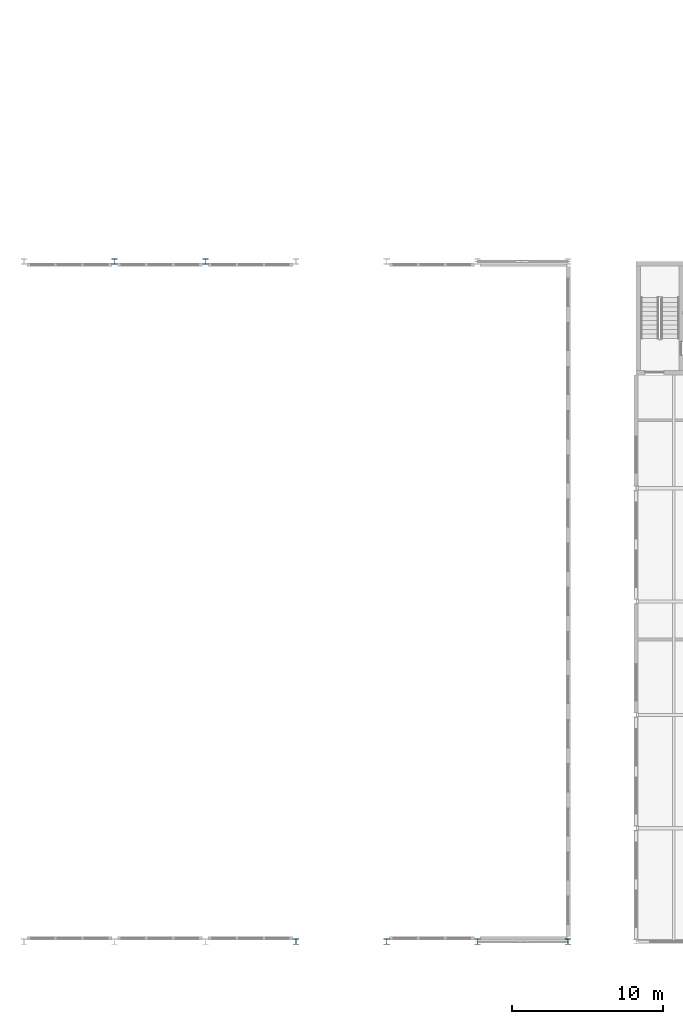
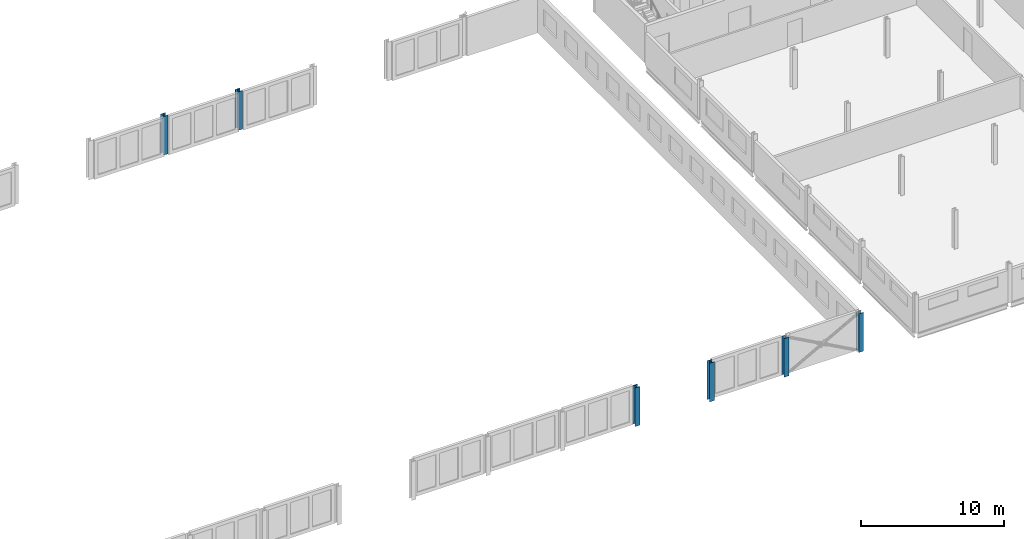
# One storey, part 4 of 199: 6 columns.
"""IFC4 building model written with IfcOpenShell, lengths in metres."""

from ifc_helpers import new_model, si_unit, direction, frame, origin, origin_2d, place, context, subcontext, project, spatial, i_section, extrude, material, material_profile, profile_set, type_object, element, save


model = new_model("IFC4")

# Units and contexts
model_context = context("Model", 3, precision=1e-05, world=origin(), true_north=direction((0.0, 1.0)))
body_context = subcontext(model_context, "Body", "Model", "MODEL_VIEW")
ifc_project = project(units=[si_unit("LENGTHUNIT", "METRE"), si_unit("AREAUNIT", "SQUARE_METRE"), si_unit("VOLUMEUNIT", "CUBIC_METRE"), si_unit("PLANEANGLEUNIT", "RADIAN"), si_unit("MASSUNIT", "GRAM", prefix="KILO")], contexts=[model_context])

# Site, building, storey
site_placement = place(None, origin())
site = spatial("IfcSite", under=ifc_project, at=site_placement, CompositionType="ELEMENT")
building_placement = place(site_placement, origin())
building = spatial("IfcBuilding", under=site, at=building_placement, Name="Parallax Yard Mobility Hub", CompositionType="ELEMENT")
storey_placement = place(building_placement, frame((0.0, 0.0, 9.89990234375)))
storey = spatial("IfcBuildingStorey", under=building, at=storey_placement, Name="L03", CompositionType="ELEMENT", Elevation=9.89990234375)

# Columns
ifc_material = material(Name="Steel ASTM A992", Category="steel")
ifc_material_profile = material_profile(ifc_material, i_section(OverallWidth=0.373046875, OverallDepth=0.367919921875, WebThickness=0.014892578125, FlangeThickness=0.02392578125, FilletRadius=0.01513671875, at=origin_2d()), Name="W360x179")
ifc_profile_set = profile_set([ifc_material_profile], Name="Steel ASTM A992")
column_type = type_object("IfcColumnType", Name="W360x179 column", PredefinedType="COLUMN", material=ifc_profile_set)
for number, where, z_axis, x_axis, name in (
    (1, (63.0, 52.5, 0.0), (0.0, 0.0, 1.0), (1.0, 0.0, 0.0), "Ridge column F10 north level L03"),
    (2, (69.0, 52.5, 0.0), (0.0, 0.0, 1.0), (1.0, 0.0, 0.0), "Valley column F11 north level L03"),
    (3, (75.0, 7.5, 0.0), (0.0, 0.0, 1.0), (1.0, 0.0, 0.0), "Ridge column F12 south level L03"),
    (4, (81.0, 7.5, 0.0), (0.0, 0.0, 1.0), (1.0, 0.0, 0.0), "Valley column F13 south level L03"),
    (5, (87.0, 7.5, 0.0), (0.0, 0.0, 1.0), (1.0, 0.0, 0.0), "Ridge column F14 south level L03"),
    (6, (93.0, 7.5, 0.0), (0.0, 0.0, 1.0), (1.0, 0.0, 0.0), "Valley column F15 south level L03"),
):
    element("IfcColumn", number, at=place(storey_placement, frame(where, z_axis=z_axis, x_axis=x_axis)), inside=storey, type_object=column_type, Name=name, PredefinedType="COLUMN", context=body_context, shape_type="SweptSolid", body=[
        extrude(i_section(OverallWidth=0.373046875, OverallDepth=0.367919921875, WebThickness=0.014892578125, FlangeThickness=0.02392578125, FilletRadius=0.01513671875, at=origin_2d()), origin(), (0.0, 0.0, 1.0), 3.300048828125),
    ])

save(model, "model.ifc")
